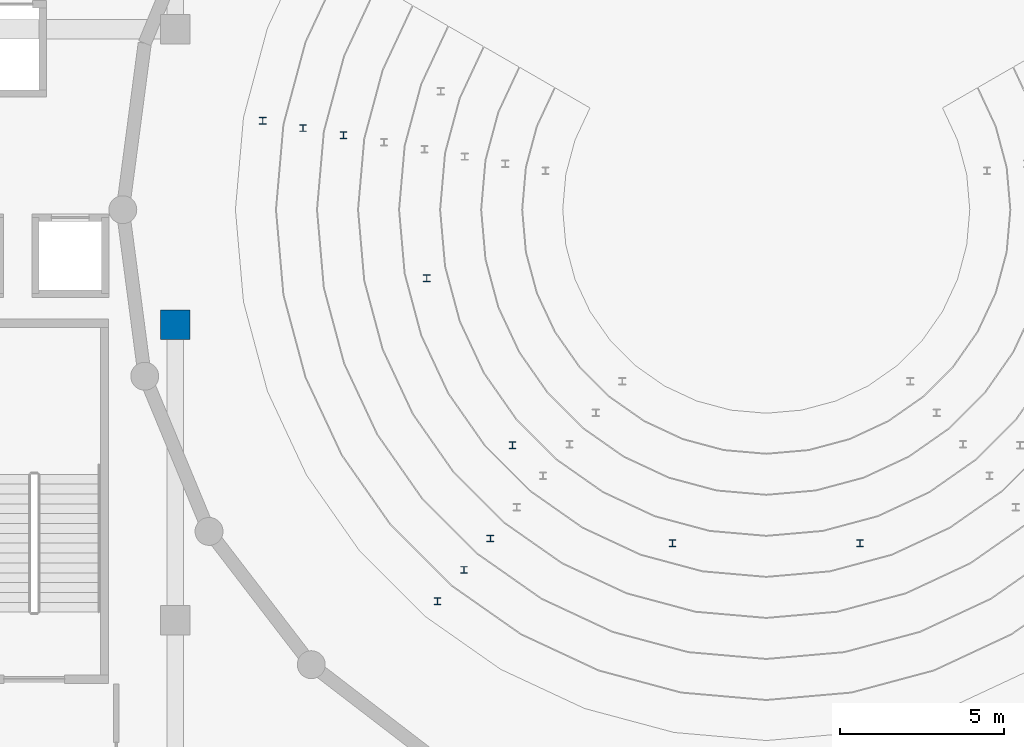
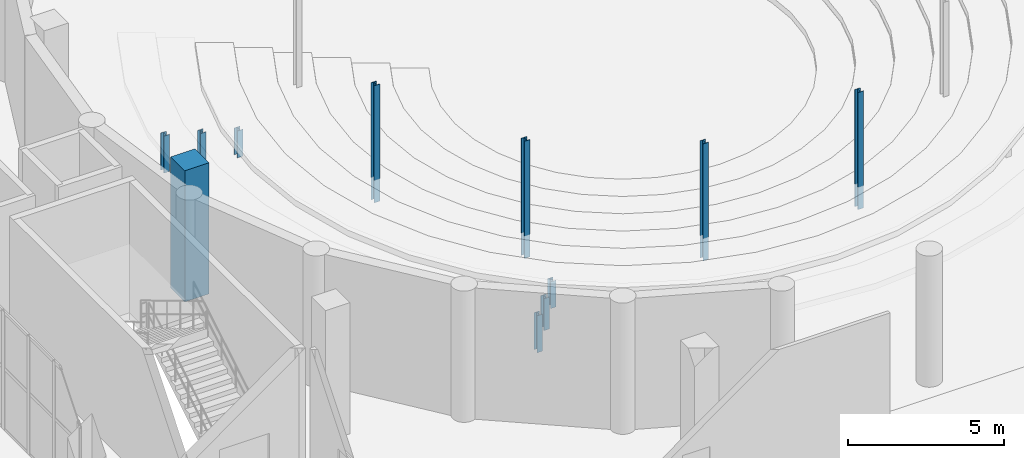
# One storey, part 14 of 103: 11 columns.
"""IFC4 building model written with IfcOpenShell, lengths in metres."""

from ifc_helpers import new_model, si_unit, direction, frame, origin, origin_2d, place, context, subcontext, project, spatial, rectangle, i_section, extrude, material, material_profile, profile_set, type_object, element, save


model = new_model("IFC4")

# Units and contexts
model_context = context("Model", 3, precision=1e-05, world=origin(), true_north=direction((0.0, 1.0)))
body_context = subcontext(model_context, "Body", "Model", "MODEL_VIEW")
ifc_project = project(units=[si_unit("LENGTHUNIT", "METRE"), si_unit("AREAUNIT", "SQUARE_METRE"), si_unit("VOLUMEUNIT", "CUBIC_METRE"), si_unit("PLANEANGLEUNIT", "RADIAN"), si_unit("MASSUNIT", "GRAM", prefix="KILO")], contexts=[model_context])

# Site, building, storey
site_placement = place(None, origin())
site = spatial("IfcSite", under=ifc_project, at=site_placement, CompositionType="ELEMENT")
building_placement = place(site_placement, origin())
building = spatial("IfcBuilding", under=site, at=building_placement, Name="Marnock Terrace Opera House", CompositionType="ELEMENT")
storey_placement = place(building_placement, origin())
storey = spatial("IfcBuildingStorey", under=building, at=storey_placement, Name="L00", CompositionType="ELEMENT", Elevation=0.0)

# Columns
ifc_material_1 = material(Name="Concrete N50 (f'c = 50 MPa)", Category="concrete")
ifc_material_profile_1 = material_profile(ifc_material_1, rectangle(XDim=0.89990234375, YDim=0.89990234375, at=origin_2d()))
ifc_profile_set_1 = profile_set([ifc_material_profile_1], Name="Concrete N50 (f'c = 50 MPa)")
column_type_1 = type_object("IfcColumnType", Name="COL-RC900", PredefinedType="COLUMN", material=ifc_profile_set_1)
column_placement = place(storey_placement, frame((64.0, 57.0, 0.0), z_axis=(0.0, 0.0, 1.0), x_axis=(1.0, 0.0, 0.0)))
element("IfcColumn", 1, at=column_placement, inside=storey, type_object=column_type_1, Name="L00 column at (64.0, 57.0)", PredefinedType="COLUMN", context=body_context, shape_type="SweptSolid", body=[
    extrude(rectangle(XDim=0.89990234375, YDim=0.89990234375, at=origin_2d()), origin(), (0.0, 0.0, 1.0), 5.1201171875),
])
ifc_material_2 = material(Name="Steel Grade 350 (AS/NZS 3679.1)", Category="steel")
ifc_material_profile_2 = material_profile(ifc_material_2, i_section(OverallWidth=0.205078125, OverallDepth=0.209716796875, WebThickness=0.00927734375, FlangeThickness=0.01416015625, FilletRadius=0.011474609375, at=origin_2d()))
ifc_profile_set_2 = profile_set([ifc_material_profile_2], Name="Steel Grade 350 (AS/NZS 3679.1)")
column_type_2 = type_object("IfcColumnType", Name="COL-UC200", PredefinedType="COLUMN", material=ifc_profile_set_2)
for number, where, z_axis, x_axis, name in (
    (2, (69.12353515625, 62.7705078125, 0.0), (0.0, 0.0, 1.0), (1.0, 0.0, 0.0), "L00 Stalls tier 6 support post 2"),
    (3, (73.595703125, 50.48388671875, 0.0), (0.0, 0.0, 1.0), (1.0, 0.0, 0.0), "L00 Stalls tier 6 support post 8"),
):
    element("IfcColumn", number, at=place(storey_placement, frame(where, z_axis=z_axis, x_axis=x_axis)), inside=storey, type_object=column_type_2, Name=name, PredefinedType="COLUMN", context=body_context, shape_type="SweptSolid", body=[
        extrude(i_section(OverallWidth=0.205078125, OverallDepth=0.209716796875, WebThickness=0.00927734375, FlangeThickness=0.01416015625, FilletRadius=0.011474609375, at=origin_2d()), origin(), (0.0, 0.0, 1.0), 1.044921875),
    ])
for number, where, z_axis, x_axis, name in (
    (4, (67.892578125, 62.987548828125, 0.0), (0.0, 0.0, 1.0), (1.0, 0.0, 0.0), "L00 Stalls tier 7 support post 2"),
    (5, (72.7919921875, 49.5263671875, 0.0), (0.0, 0.0, 1.0), (1.0, 0.0, 0.0), "L00 Stalls tier 7 support post 8"),
):
    element("IfcColumn", number, at=place(storey_placement, frame(where, z_axis=z_axis, x_axis=x_axis)), inside=storey, type_object=column_type_2, Name=name, PredefinedType="COLUMN", context=body_context, shape_type="SweptSolid", body=[
        extrude(i_section(OverallWidth=0.205078125, OverallDepth=0.209716796875, WebThickness=0.00927734375, FlangeThickness=0.01416015625, FilletRadius=0.011474609375, at=origin_2d()), origin(), (0.0, 0.0, 1.0), 1.2451171875),
    ])
for number, where, z_axis, x_axis, name in (
    (6, (66.66162109375, 63.20458984375, 0.0), (0.0, 0.0, 1.0), (1.0, 0.0, 0.0), "L00 Stalls tier 8 support post 2"),
    (7, (71.988525390625, 48.56884765625, 0.0), (0.0, 0.0, 1.0), (1.0, 0.0, 0.0), "L00 Stalls tier 8 support post 8"),
):
    element("IfcColumn", number, at=place(storey_placement, frame(where, z_axis=z_axis, x_axis=x_axis)), inside=storey, type_object=column_type_2, Name=name, PredefinedType="COLUMN", context=body_context, shape_type="SweptSolid", body=[
        extrude(i_section(OverallWidth=0.205078125, OverallDepth=0.209716796875, WebThickness=0.00927734375, FlangeThickness=0.01416015625, FilletRadius=0.011474609375, at=origin_2d()), origin(), (0.0, 0.0, 1.0), 1.445068359375),
    ])
for number, where, z_axis, x_axis, name in (
    (8, (71.6591796875, 58.40966796875, 0.0), (0.0, 0.0, 1.0), (1.0, 0.0, 0.0), "L00 Auditorium balcony-front column 2"),
    (9, (74.266357421875, 53.32421875, 0.0), (0.0, 0.0, 1.0), (1.0, 0.0, 0.0), "L00 Auditorium balcony-front column 3"),
    (10, (79.142578125, 50.34423828125, 0.0), (0.0, 0.0, 1.0), (1.0, 0.0, 0.0), "L00 Auditorium balcony-front column 4"),
    (11, (84.857421875, 50.34423828125, 0.0), (0.0, 0.0, 1.0), (1.0, 0.0, 0.0), "L00 Auditorium balcony-front column 5"),
):
    element("IfcColumn", number, at=place(storey_placement, frame(where, z_axis=z_axis, x_axis=x_axis)), inside=storey, type_object=column_type_2, Name=name, PredefinedType="COLUMN", context=body_context, shape_type="SweptSolid", body=[
        extrude(i_section(OverallWidth=0.205078125, OverallDepth=0.209716796875, WebThickness=0.00927734375, FlangeThickness=0.01416015625, FilletRadius=0.011474609375, at=origin_2d()), origin(), (0.0, 0.0, 1.0), 4.570068359375),
    ])

save(model, "model.ifc")
